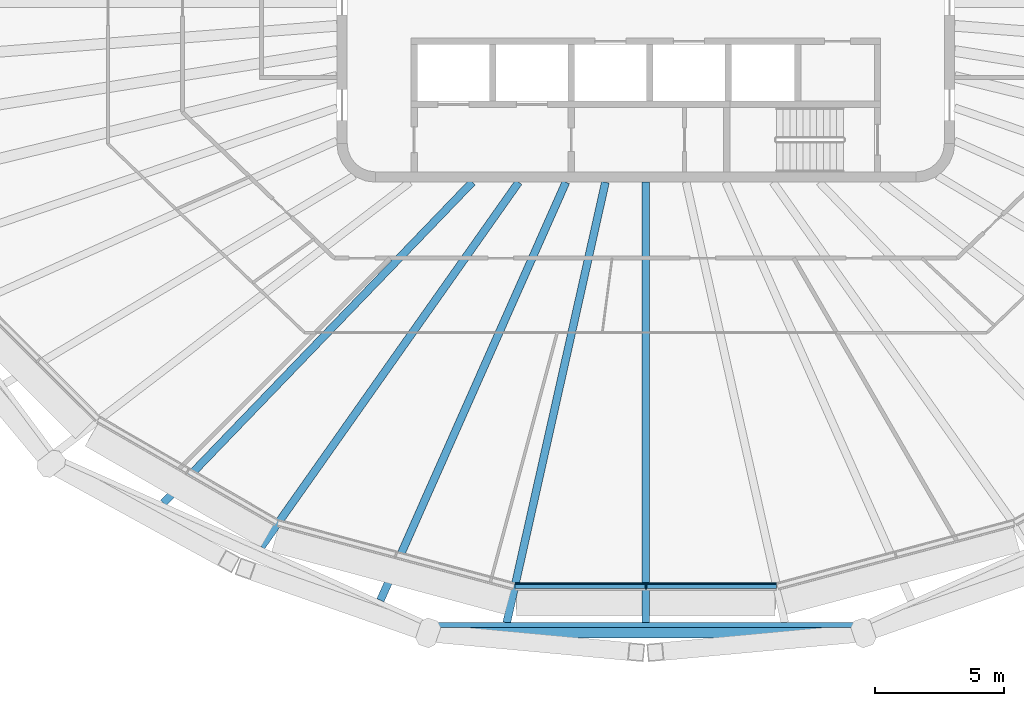
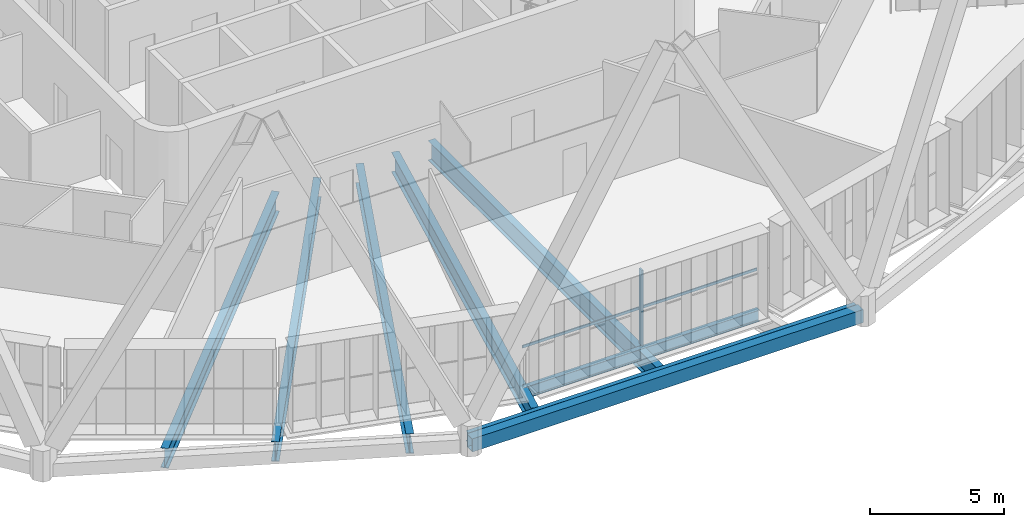
# One storey, part 2 of 20: 8 beams, 2 members, 1 element without a shape of its own.
"""IFC4 building model written with IfcOpenShell, lengths in metres."""

from ifc_helpers import new_model, si_unit, direction, frame, origin, origin_2d, place, context, subcontext, project, spatial, rectangle, hollow_rectangle, i_section, extrude, material, layer, layer_set, material_profile, profile_set, type_object, element, aggregate, save


model = new_model("IFC4")

# Units and contexts
model_context = context("Model", 3, precision=1e-05, world=origin(), true_north=direction((0.0, 1.0)))
body_context = subcontext(model_context, "Body", "Model", "MODEL_VIEW")
ifc_project = project(units=[si_unit("LENGTHUNIT", "METRE"), si_unit("AREAUNIT", "SQUARE_METRE"), si_unit("VOLUMEUNIT", "CUBIC_METRE"), si_unit("PLANEANGLEUNIT", "RADIAN"), si_unit("MASSUNIT", "GRAM", prefix="KILO")], contexts=[model_context])

# Site, building, storey
site_placement = place(None, origin())
site = spatial("IfcSite", under=ifc_project, at=site_placement, CompositionType="ELEMENT")
building_placement = place(site_placement, origin())
building = spatial("IfcBuilding", under=site, at=building_placement, Name="Sahrelin Media Tower", CompositionType="ELEMENT")
storey_placement = place(building_placement, frame((0.0, 0.0, 267.0)))
storey = spatial("IfcBuildingStorey", under=building, at=storey_placement, Name="L58", CompositionType="ELEMENT", Elevation=267.0)

# Beams
ifc_material_1 = material(Name="Steel S460", Category="steel")
ifc_material_profile_1 = material_profile(ifc_material_1, hollow_rectangle(XDim=0.39990234375, YDim=0.60009765625, WallThickness=0.030029296875, at=origin_2d()), Name="Diagrid ring beam RB1")
ifc_profile_set_1 = profile_set([ifc_material_profile_1], Name="Steel S460")
beam_type_1 = type_object("IfcBeamType", Name="Diagrid ring beam RB1", PredefinedType="BEAM", material=ifc_profile_set_1)
beam_1_placement = place(storey_placement, frame((-8.4541015625, -24.505859375, -0.449951171875), z_axis=(1.0, 0.0, 0.0), x_axis=(0.0, 1.0, 0.0)))
element("IfcBeam", 1, at=beam_1_placement, inside=storey, type_object=beam_type_1, Name="Diagrid ring beam RB13-08", PredefinedType="BEAM", context=body_context, shape_type="SweptSolid", body=[
    extrude(hollow_rectangle(XDim=0.39990234375, YDim=0.60009765625, WallThickness=0.030029296875, at=origin_2d()), origin(), (0.0, 0.0, 1.0), 16.908203125),
])
ifc_material_2 = material(Name="Steel S355", Category="steel")
ifc_material_profile_2 = material_profile(ifc_material_2, i_section(OverallWidth=0.208740234375, OverallDepth=0.5283203125, WebThickness=0.009521484375, FlangeThickness=0.01318359375, FilletRadius=0.0126953125, at=origin_2d()), Name="UB 533x210x82")
ifc_profile_set_2 = profile_set([ifc_material_profile_2], Name="Steel S355")
beam_type_2 = type_object("IfcBeamType", Name="Edge beam EB6", PredefinedType="BEAM", material=ifc_profile_set_2)
beam_2_placement = place(storey_placement, frame((5.081787109375, -22.68017578125, -0.4140625), z_axis=(-1.0, 0.0, 0.0), x_axis=(0.0, -1.0, 0.0)))
element("IfcBeam", 2, at=beam_2_placement, inside=storey, type_object=beam_type_2, Name="Edge beam L58-04", PredefinedType="BEAM", context=body_context, shape_type="SweptSolid", body=[
    extrude(i_section(OverallWidth=0.208740234375, OverallDepth=0.5283203125, WebThickness=0.009521484375, FlangeThickness=0.01318359375, FilletRadius=0.0126953125, at=origin_2d()), origin(), (0.0, 0.0, 1.0), 10.16357421875),
])

# Curtain wall, member
ifc_material_3 = material(Name="Champagne anodised aluminium 6063-T6", Category="aluminium")
ifc_layer = layer(ifc_material_3, 0.14990234375)
ifc_layer_set = layer_set([ifc_layer], Name="Tower ribbon curtain wall")
curtain_wall_type = type_object("IfcCurtainWallType", Name="Tower ribbon curtain wall", PredefinedType="NOTDEFINED", material=ifc_layer_set)
curtain_wall_placement = place(storey_placement, frame((0.0, -22.830078125, 0.0), z_axis=(0.0, 0.0, 1.0), x_axis=(1.0, 0.0, 0.0)))
curtain_wall = element("IfcCurtainWall", 3, at=curtain_wall_placement, inside=storey, type_object=curtain_wall_type, Name="L58:CW:L58-18", PredefinedType="NOTDEFINED")
ifc_material_profile_3 = material_profile(ifc_material_3, rectangle(XDim=0.06005859375, YDim=0.199951171875, at=origin_2d()), Name="Mullion 60x200")
ifc_profile_set_3 = profile_set([ifc_material_profile_3], Name="Champagne anodised aluminium 6063-T6")
member_type_1 = type_object("IfcMemberType", Name="Mullion 60x200 CW1C", PredefinedType="MULLION", material=ifc_profile_set_3)
member_1_placement = place(storey_placement, frame((0.0, -22.710205078125, 0.0), z_axis=(0.0, 0.0, 1.0), x_axis=(1.0, 0.0, 0.0)))
member_1 = element("IfcMember", 4, at=member_1_placement, type_object=member_type_1, Name="L58:CWM:L58-18", PredefinedType="MULLION", context=body_context, shape_type="SweptSolid", body=[
    extrude(rectangle(XDim=0.06005859375, YDim=0.199951171875, at=origin_2d()), origin(), (0.0, 0.0, 1.0), 3.448486328125),
])

# Beams
ifc_material_profile_4 = material_profile(ifc_material_2, i_section(OverallWidth=0.30322265625, OverallDepth=0.903076171875, WebThickness=0.01513671875, FlangeThickness=0.020263671875, FilletRadius=0.01904296875, at=origin_2d()), Name="UB 914x305x201")
ifc_profile_set_4 = profile_set([ifc_material_profile_4], Name="Steel S355")
beam_type_3 = type_object("IfcBeamType", Name="Radial primary beam PB11", PredefinedType="BEAM", material=ifc_profile_set_4)
beam_3_placement = place(storey_placement, frame((-4.940185546875, -7.0, -0.6015625), z_axis=(-0.576608007265, -0.817020933611, 0.0), x_axis=(0.817020933611, -0.576608007265, 0.0)))
element("IfcBeam", 5, at=beam_3_placement, inside=storey, type_object=beam_type_3, Name="Radial beam L58-17", PredefinedType="BEAM", context=body_context, shape_type="SweptSolid", body=[
    extrude(i_section(OverallWidth=0.30322265625, OverallDepth=0.903076171875, WebThickness=0.01513671875, FlangeThickness=0.020263671875, FilletRadius=0.01904296875, at=origin_2d()), origin(), (0.0, 0.0, 1.0), 17.337646484375),
])
beam_4_placement = place(storey_placement, frame((-1.568603515625, -7.0, -0.6015625), z_axis=(-0.218665284785, -0.975799924795, 0.0), x_axis=(0.975799924795, -0.218665284785, 0.0)))
element("IfcBeam", 6, at=beam_4_placement, inside=storey, type_object=beam_type_3, Name="Radial beam L58-18", PredefinedType="BEAM", context=body_context, shape_type="SweptSolid", body=[
    extrude(i_section(OverallWidth=0.30322265625, OverallDepth=0.903076171875, WebThickness=0.01513671875, FlangeThickness=0.020263671875, FilletRadius=0.01904296875, at=origin_2d()), origin(), (0.0, 0.0, 1.0), 17.53466796875),
])
ifc_material_profile_5 = material_profile(ifc_material_2, i_section(OverallWidth=0.30322265625, OverallDepth=0.903076171875, WebThickness=0.01513671875, FlangeThickness=0.020263671875, FilletRadius=0.01904296875, at=origin_2d()), Name="UB 914x305x201")
ifc_profile_set_5 = profile_set([ifc_material_profile_5], Name="Steel S355")
beam_type_4 = type_object("IfcBeamType", Name="Radial secondary beam SB11", PredefinedType="BEAM", material=ifc_profile_set_5)
beam_5_placement = place(storey_placement, frame((-6.740966796875, -7.0, -0.6015625), z_axis=(-0.693643314436, -0.720318646391, 0.0), x_axis=(0.720318646391, -0.693643314436, 0.0)))
element("IfcBeam", 7, at=beam_5_placement, inside=storey, type_object=beam_type_4, Name="Secondary beam L58-16", PredefinedType="BEAM", context=body_context, shape_type="SweptSolid", body=[
    extrude(i_section(OverallWidth=0.30322265625, OverallDepth=0.903076171875, WebThickness=0.01513671875, FlangeThickness=0.020263671875, FilletRadius=0.01904296875, at=origin_2d()), origin(), (0.0, 0.0, 1.0), 17.2978515625),
])
beam_6_placement = place(storey_placement, frame((-3.10498046875, -7.0, -0.6015625), z_axis=(-0.40548556811, -0.91410144626, 0.0), x_axis=(0.91410144626, -0.40548556811, 0.0)))
element("IfcBeam", 8, at=beam_6_placement, inside=storey, type_object=beam_type_4, Name="Secondary beam L58-17", PredefinedType="BEAM", context=body_context, shape_type="SweptSolid", body=[
    extrude(i_section(OverallWidth=0.30322265625, OverallDepth=0.903076171875, WebThickness=0.01513671875, FlangeThickness=0.020263671875, FilletRadius=0.01904296875, at=origin_2d()), origin(), (0.0, 0.0, 1.0), 17.7666015625),
])
beam_7_placement = place(storey_placement, frame((0.0, -7.0, -0.6015625), z_axis=(0.0, -1.0, 0.0), x_axis=(1.0, 0.0, 0.0)))
element("IfcBeam", 9, at=beam_7_placement, inside=storey, type_object=beam_type_4, Name="Secondary beam L58-18", PredefinedType="BEAM", context=body_context, shape_type="SweptSolid", body=[
    extrude(i_section(OverallWidth=0.30322265625, OverallDepth=0.903076171875, WebThickness=0.01513671875, FlangeThickness=0.020263671875, FilletRadius=0.01904296875, at=origin_2d()), origin(), (0.0, 0.0, 1.0), 17.1103515625),
])
ifc_material_profile_6 = material_profile(ifc_material_2, i_section(OverallWidth=0.1904296875, OverallDepth=0.45703125, WebThickness=0.009033203125, FlangeThickness=0.014404296875, FilletRadius=0.01025390625, at=origin_2d()), Name="UB 457x191x74")
ifc_profile_set_6 = profile_set([ifc_material_profile_6], Name="Steel S355")
beam_type_5 = type_object("IfcBeamType", Name="Tie chord TC5", PredefinedType="BEAM", material=ifc_profile_set_6)
beam_8_placement = place(storey_placement, frame((8.389892578125, -24.20556640625, -0.37841796875), z_axis=(-1.0, 0.0, 0.0), x_axis=(0.0, -1.0, 0.0)))
element("IfcBeam", 10, at=beam_8_placement, inside=storey, type_object=beam_type_5, Name="Tie chord L58-04", PredefinedType="BEAM", context=body_context, shape_type="SweptSolid", body=[
    extrude(i_section(OverallWidth=0.1904296875, OverallDepth=0.45703125, WebThickness=0.009033203125, FlangeThickness=0.014404296875, FilletRadius=0.01025390625, at=origin_2d()), origin(), (0.0, 0.0, 1.0), 16.77978515625),
])

# Member
ifc_material_profile_7 = material_profile(ifc_material_3, rectangle(XDim=0.050048828125, YDim=0.1201171875, at=origin_2d()), Name="Transom 50x120")
ifc_profile_set_7 = profile_set([ifc_material_profile_7], Name="Champagne anodised aluminium 6063-T6")
member_type_2 = type_object("IfcMemberType", Name="Transom 50x120 CW1C", PredefinedType="USERDEFINED", material=ifc_profile_set_7)
member_2_placement = place(storey_placement, frame((-5.06591796875, -22.585205078125, 1.60009765625), z_axis=(1.0, 0.0, 0.0), x_axis=(0.0, 1.0, 0.0)))
member_2 = element("IfcMember", 11, at=member_2_placement, type_object=member_type_2, Name="L58:CWT:L58-18", ObjectType="TRANSOM", PredefinedType="USERDEFINED", context=body_context, shape_type="SweptSolid", body=[
    extrude(rectangle(XDim=0.050048828125, YDim=0.1201171875, at=origin_2d()), origin(), (0.0, 0.0, 1.0), 10.1318359375),
])

aggregate(curtain_wall, [member_1, member_2])

save(model, "model.ifc")
